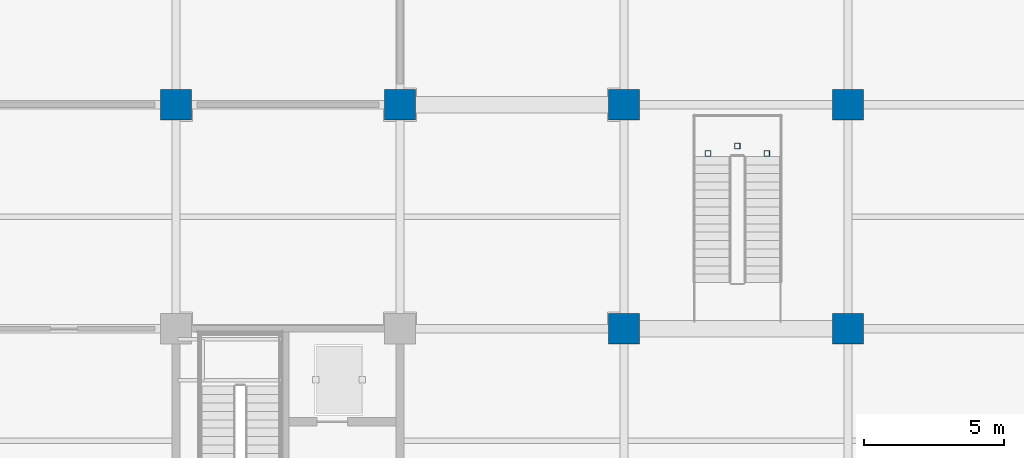
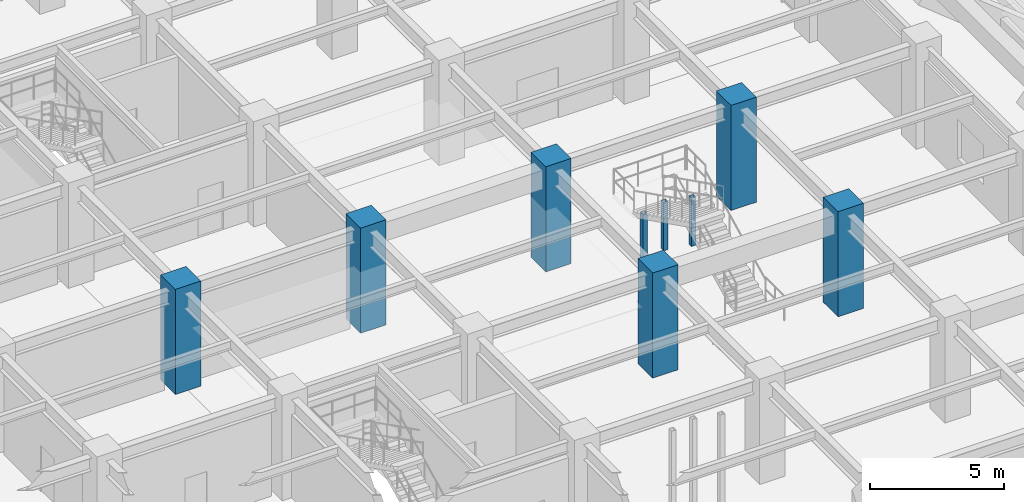
# One storey, part 9 of 125: 9 columns.
"""IFC4 building model written with IfcOpenShell, lengths in metres."""

from ifc_helpers import new_model, si_unit, direction, frame, origin, origin_2d, place, context, subcontext, project, spatial, rectangle, hollow_rectangle, extrude, material, material_profile, profile_set, type_object, element, save


model = new_model("IFC4")

# Units and contexts
model_context = context("Model", 3, precision=1e-05, world=origin(), true_north=direction((0.0, 1.0)))
body_context = subcontext(model_context, "Body", "Model", "MODEL_VIEW")
ifc_project = project(units=[si_unit("LENGTHUNIT", "METRE"), si_unit("AREAUNIT", "SQUARE_METRE"), si_unit("VOLUMEUNIT", "CUBIC_METRE"), si_unit("PLANEANGLEUNIT", "RADIAN"), si_unit("MASSUNIT", "GRAM", prefix="KILO")], contexts=[model_context])

# Site, building, storey
site_placement = place(None, origin())
site = spatial("IfcSite", under=ifc_project, at=site_placement, CompositionType="ELEMENT")
building_placement = place(site_placement, origin())
building = spatial("IfcBuilding", under=site, at=building_placement, Name="Haebicheon Civic Stadium", CompositionType="ELEMENT")
storey_placement = place(building_placement, origin())
storey = spatial("IfcBuildingStorey", under=building, at=storey_placement, Name="L01", CompositionType="ELEMENT", Elevation=0.0)

# Columns
ifc_material_1 = material(Name="Concrete C40/50", Category="concrete")
ifc_material_profile_1 = material_profile(ifc_material_1, rectangle(XDim=1.10009765625, YDim=1.10009765625, at=origin_2d()), Name="RC-COL-1100x1100")
ifc_profile_set_1 = profile_set([ifc_material_profile_1], Name="Concrete C40/50")
column_type_1 = type_object("IfcColumnType", Name="COL-RC-1100", PredefinedType="COLUMN", material=ifc_profile_set_1)
for number, where, z_axis, x_axis, name in (
    (1, (32.0, 120.0, 0.0), (0.0, 0.0, 1.0), (1.0, 0.0, 0.0), "L01 column 5/R"),
    (2, (40.0, 120.0, 0.0), (0.0, 0.0, 1.0), (1.0, 0.0, 0.0), "L01 column 6/R"),
    (3, (48.0, 112.0, 0.0), (0.0, 0.0, 1.0), (1.0, 0.0, 0.0), "L01 column 7/Q"),
    (4, (48.0, 120.0, 0.0), (0.0, 0.0, 1.0), (1.0, 0.0, 0.0), "L01 column 7/R"),
    (5, (56.0, 112.0, 0.0), (0.0, 0.0, 1.0), (1.0, 0.0, 0.0), "L01 column 8/Q"),
    (6, (56.0, 120.0, 0.0), (0.0, 0.0, 1.0), (1.0, 0.0, 0.0), "L01 column 8/R"),
):
    element("IfcColumn", number, at=place(storey_placement, frame(where, z_axis=z_axis, x_axis=x_axis)), inside=storey, type_object=column_type_1, material=ifc_profile_set_1, Name=name, PredefinedType="COLUMN", context=body_context, shape_type="SweptSolid", body=[
        extrude(rectangle(XDim=1.10009765625, YDim=1.10009765625, at=origin_2d()), origin(), (0.0, 0.0, 1.0), 4.800048828125),
    ])
ifc_material_2 = material(Name="Steel SM355 (S355)", Category="steel")
ifc_material_profile_2 = material_profile(ifc_material_2, hollow_rectangle(XDim=0.199951171875, YDim=0.199951171875, WallThickness=0.009033203125, at=origin_2d()), Name="RHS-200x200x9.0")
ifc_profile_set_2 = profile_set([ifc_material_profile_2], Name="Steel SM355 (S355)")
column_type_2 = type_object("IfcColumnType", Name="COL-ST-RHS200", PredefinedType="COLUMN", material=ifc_profile_set_2)
for number, where, z_axis, x_axis, name in (
    (7, (51.0, 118.260009765625, 0.0), (0.0, 0.0, 1.0), (1.0, 0.0, 0.0), "VM-03 L01 vomitory landing support post A"),
    (8, (53.10009765625, 118.260009765625, 0.0), (0.0, 0.0, 1.0), (1.0, 0.0, 0.0), "VM-03 L01 vomitory landing support post B"),
    (9, (52.050048828125, 118.530029296875, 0.0), (0.0, 0.0, 1.0), (1.0, 0.0, 0.0), "VM-03 L01 vomitory landing support post C"),
):
    element("IfcColumn", number, at=place(storey_placement, frame(where, z_axis=z_axis, x_axis=x_axis)), inside=storey, type_object=column_type_2, material=ifc_profile_set_2, Name=name, PredefinedType="COLUMN", context=body_context, shape_type="SweptSolid", body=[
        extrude(hollow_rectangle(XDim=0.199951171875, YDim=0.199951171875, WallThickness=0.009033203125, at=origin_2d()), origin(), (0.0, 0.0, 1.0), 2.199951171875),
    ])

save(model, "model.ifc")
